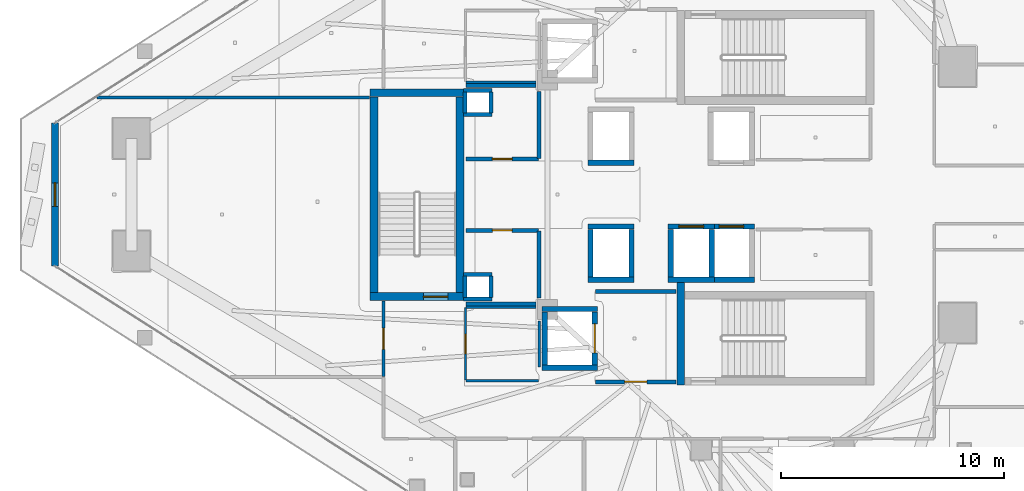
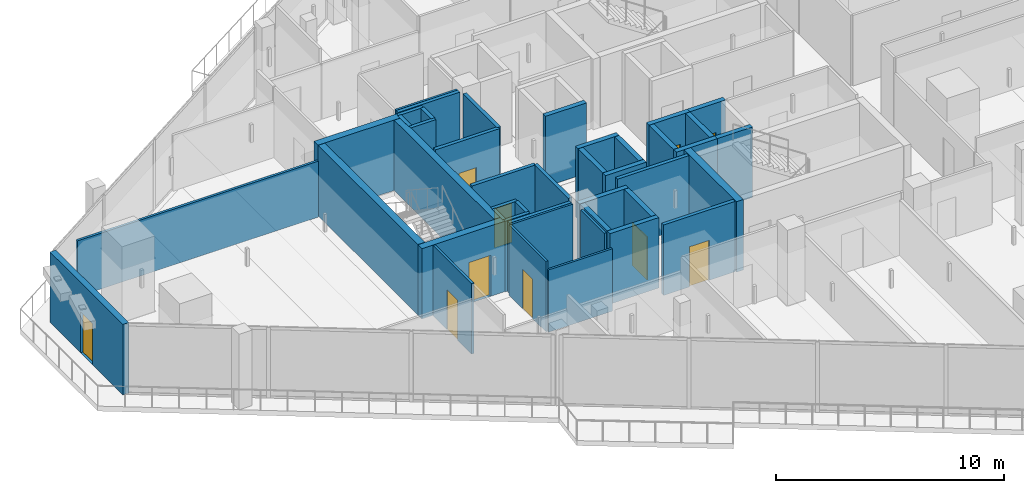
# One storey, part 24 of 36: 44 walls, 10 doors, 10 openings.
"""IFC4 building model written with IfcOpenShell, lengths in metres."""

from ifc_helpers import new_model, si_unit, direction, frame, frame_2d, origin, place, context, subcontext, project, spatial, rectangle, extrude, material, layer, layer_set, type_object, element, fill, save


model = new_model("IFC4")

# Units and contexts
model_context = context("Model", 3, precision=1e-05, world=origin(), true_north=direction((0.0, 1.0)))
body_context = subcontext(model_context, "Body", "Model", "MODEL_VIEW")
ifc_project = project(units=[si_unit("LENGTHUNIT", "METRE"), si_unit("AREAUNIT", "SQUARE_METRE"), si_unit("VOLUMEUNIT", "CUBIC_METRE"), si_unit("PLANEANGLEUNIT", "RADIAN"), si_unit("MASSUNIT", "GRAM", prefix="KILO")], contexts=[model_context])

# Site, building, storey
site_placement = place(None, origin())
site = spatial("IfcSite", under=ifc_project, at=site_placement, CompositionType="ELEMENT")
building_placement = place(site_placement, origin())
building = spatial("IfcBuilding", under=site, at=building_placement, Name="Qorvath Tower", CompositionType="ELEMENT")
storey_placement = place(building_placement, frame((0.0, 0.0, 241.5)))
storey = spatial("IfcBuildingStorey", under=building, at=storey_placement, Name="L56", CompositionType="ELEMENT", Elevation=241.5)

# Walls
ifc_material_1 = material(Name="Gypsum shaftliner on steel studs", Category="steel")
ifc_layer_1 = layer(ifc_material_1, 0.179931640625)
ifc_layer_set_1 = layer_set([ifc_layer_1], Name="FW-LOBBY")
wall_type_1 = type_object("IfcWallType", Name="FW-LOBBY", PredefinedType="PARTITIONING", material=ifc_layer_set_1)
for number, where, z_axis, x_axis, name in (
    (1, (-32.989990234375, 3.594970703125, 0.0), (0.0, 0.0, 1.0), (-1.0, 0.0, 0.0), "MEP Riser Shaft Enclosure Wall N-L56-S"),
    (2, (-34.260009765625, 4.675048828125, 0.0), (0.0, 0.0, 1.0), (1.0, 0.0, 0.0), "MEP Riser Shaft Enclosure Wall N-L56-N"),
):
    element("IfcWall", number, at=place(storey_placement, frame(where, z_axis=z_axis, x_axis=x_axis)), inside=storey, type_object=wall_type_1, Name=name, PredefinedType="PARTITIONING", context=body_context, shape_type="SweptSolid", body=[
        extrude(rectangle(XDim=1.27001953125, YDim=0.179931640625, at=frame_2d((0.635009765625, 0.0))), origin(), (0.0, 0.0, 1.0), 3.780029296875),
    ])
for number, where, z_axis, x_axis, name in (
    (3, (-34.205078125, 3.659912109375, 0.0), (0.0, 0.0, 1.0), (0.0, 1.0, 0.0), "MEP Riser Shaft Enclosure Wall N-L56-W"),
    (4, (-33.044921875, 4.610107421875, 0.0), (0.0, 0.0, 1.0), (0.0, -1.0, 0.0), "MEP Riser Shaft Enclosure Wall N-L56-E"),
):
    element("IfcWall", number, at=place(storey_placement, frame(where, z_axis=z_axis, x_axis=x_axis)), inside=storey, type_object=wall_type_1, Name=name, PredefinedType="PARTITIONING", context=body_context, shape_type="SweptSolid", body=[
        extrude(rectangle(XDim=0.9501953125, YDim=0.179931640625, at=frame_2d((0.47509765625, 0.0))), origin(), (0.0, 0.0, 1.0), 3.780029296875),
    ])
for number, where, z_axis, x_axis, name in (
    (5, (-32.989990234375, -4.675048828125, 0.0), (0.0, 0.0, 1.0), (-1.0, 0.0, 0.0), "MEP Riser Shaft Enclosure Wall S-L56-S"),
    (6, (-34.260009765625, -3.594970703125, 0.0), (0.0, 0.0, 1.0), (1.0, 0.0, 0.0), "MEP Riser Shaft Enclosure Wall S-L56-N"),
):
    element("IfcWall", number, at=place(storey_placement, frame(where, z_axis=z_axis, x_axis=x_axis)), inside=storey, type_object=wall_type_1, Name=name, PredefinedType="PARTITIONING", context=body_context, shape_type="SweptSolid", body=[
        extrude(rectangle(XDim=1.27001953125, YDim=0.179931640625, at=frame_2d((0.635009765625, 0.0))), origin(), (0.0, 0.0, 1.0), 3.780029296875),
    ])
for number, where, z_axis, x_axis, name in (
    (7, (-34.205078125, -4.610107421875, 0.0), (0.0, 0.0, 1.0), (0.0, 1.0, 0.0), "MEP Riser Shaft Enclosure Wall S-L56-W"),
    (8, (-33.044921875, -3.659912109375, 0.0), (0.0, 0.0, 1.0), (0.0, -1.0, 0.0), "MEP Riser Shaft Enclosure Wall S-L56-E"),
):
    element("IfcWall", number, at=place(storey_placement, frame(where, z_axis=z_axis, x_axis=x_axis)), inside=storey, type_object=wall_type_1, Name=name, PredefinedType="PARTITIONING", context=body_context, shape_type="SweptSolid", body=[
        extrude(rectangle(XDim=0.9501953125, YDim=0.179931640625, at=frame_2d((0.47509765625, 0.0))), origin(), (0.0, 0.0, 1.0), 3.780029296875),
    ])

# Wall, opening, door
wall_1_placement = place(storey_placement, frame((-28.35498046875, -8.39990234375, 0.0), z_axis=(0.0, 0.0, 1.0), x_axis=(1.0, 0.0, 0.0)))
wall_1 = element("IfcWall", 9, at=wall_1_placement, inside=storey, type_object=wall_type_1, Name="Interior Partition IW-T1-L56-003", PredefinedType="PARTITIONING", context=body_context, shape_type="SweptSolid", body=[
    extrude(rectangle(XDim=3.6220703125, YDim=0.179931640625, at=frame_2d((1.81103515625, 0.0))), origin(), (0.0, 0.0, 1.0), 3.780029296875),
])
opening_1_placement = place(wall_1_placement, frame((1.31103515625, 0.0, 0.0)))
opening_1 = element("IfcOpeningElement", 10, at=opening_1_placement, cuts=wall_1, Name="Opening D-T1-L56-23", PredefinedType="OPENING", context=body_context, shape_type="SweptSolid", body=[
    extrude(rectangle(XDim=1.0, YDim=2.14990234375, at=frame_2d((0.5, 1.074951171875))), frame((0.0, 0.10009765625, 0.0), z_axis=(0.0, -1.0, 0.0), x_axis=(1.0, 0.0, 0.0)), (0.0, 0.0, 1.0), 0.199951171875),
])
ifc_material_2 = material(Name="Painted galvanised hollow metal", Category="steel")
door_type_1 = type_object("IfcDoorType", Name="FD-60", OperationType="NOTDEFINED", PredefinedType="DOOR", material=ifc_material_2)
door_1_placement = place(opening_1_placement, origin())
door_1 = element("IfcDoor", 11, at=door_1_placement, inside=storey, type_object=door_type_1, Name="Lobby Fire Service Elevator South Door D-T1-L56-23", OperationType="SINGLE_SWING_LEFT", OverallHeight=2.14990234375, OverallWidth=1.0, PredefinedType="DOOR", context=body_context, shape_type="SweptSolid", body=[
    extrude(rectangle(XDim=1.0, YDim=2.14990234375, at=frame_2d((0.5, 1.074951171875))), frame((0.0, 0.02490234375, 0.0), z_axis=(0.0, -1.0, 0.0), x_axis=(1.0, 0.0, 0.0)), (0.0, 0.0, 1.0), 0.050048828125),
])
fill(opening_1, door_1)

# Wall
wall_2_placement = place(storey_placement, frame((-24.73291015625, -4.35009765625, 0.0), z_axis=(0.0, 0.0, 1.0), x_axis=(-1.0, 0.0, 0.0)))
element("IfcWall", 12, at=wall_2_placement, inside=storey, type_object=wall_type_1, Name="Interior Partition IW-T1-L56-004", PredefinedType="PARTITIONING", context=body_context, shape_type="SweptSolid", body=[
    extrude(rectangle(XDim=3.6220703125, YDim=0.179931640625, at=frame_2d((1.81103515625, 0.0))), origin(), (0.0, 0.0, 1.0), 3.780029296875),
])

# Wall, opening, door
wall_3_placement = place(storey_placement, frame((-34.15478515625, 1.60009765625, 0.0), z_axis=(0.0, 0.0, 1.0), x_axis=(1.0, 0.0, 0.0)))
wall_3 = element("IfcWall", 13, at=wall_3_placement, inside=storey, type_object=wall_type_1, Name="Interior Partition IW-T1-L56-017", PredefinedType="PARTITIONING", context=body_context, shape_type="SweptSolid", body=[
    extrude(rectangle(XDim=3.25, YDim=0.179931640625, at=frame_2d((1.625, 0.0))), origin(), (0.0, 0.0, 1.0), 3.780029296875),
])
opening_2_placement = place(wall_3_placement, frame((1.18505859375, 0.0, 0.0)))
opening_2 = element("IfcOpeningElement", 14, at=opening_2_placement, cuts=wall_3, Name="Opening D-T1-L56-05", PredefinedType="OPENING", context=body_context, shape_type="SweptSolid", body=[
    extrude(rectangle(XDim=0.8798828125, YDim=2.10009765625, at=frame_2d((0.43994140625, 1.050048828125))), frame((0.0, 0.10009765625, 0.0), z_axis=(0.0, -1.0, 0.0), x_axis=(1.0, 0.0, 0.0)), (0.0, 0.0, 1.0), 0.199951171875),
])
ifc_material_3 = material(Name="Painted galvanised hollow metal", Category="steel")
door_type_2 = type_object("IfcDoorType", Name="FD-60N", OperationType="NOTDEFINED", PredefinedType="DOOR", material=ifc_material_3)
door_2_placement = place(opening_2_placement, origin())
door_2 = element("IfcDoor", 15, at=door_2_placement, inside=storey, type_object=door_type_2, Name="Core cleaner and custodial room L56 Door D-T1-L56-05", OperationType="SINGLE_SWING_LEFT", OverallHeight=2.10009765625, OverallWidth=0.8798828125, PredefinedType="DOOR", context=body_context, shape_type="SweptSolid", body=[
    extrude(rectangle(XDim=0.8798828125, YDim=2.10009765625, at=frame_2d((0.43994140625, 1.050048828125))), frame((0.0, 0.02490234375, 0.0), z_axis=(0.0, -1.0, 0.0), x_axis=(1.0, 0.0, 0.0)), (0.0, 0.0, 1.0), 0.050048828125),
])
fill(opening_2, door_2)

# Walls
wall_4_placement = place(storey_placement, frame((-30.8798828125, 1.625, 0.0), z_axis=(0.0, 0.0, 1.0), x_axis=(0.0, 1.0, 0.0)))
element("IfcWall", 16, at=wall_4_placement, inside=storey, type_object=wall_type_1, Name="Interior Partition IW-T1-L56-018", PredefinedType="PARTITIONING", context=body_context, shape_type="SweptSolid", body=[
    extrude(rectangle(XDim=3.010009765625, YDim=0.179931640625, at=frame_2d((1.5048828125, 0.0))), origin(), (0.0, 0.0, 1.0), 3.780029296875),
])
for number, where, z_axis, x_axis, name in (
    (17, (-31.014892578125, 4.89990234375, 0.0), (0.0, 0.0, 1.0), (-1.0, 0.0, 0.0), "Interior Partition IW-T1-L56-019"),
    (18, (-34.15478515625, -4.89990234375, 0.0), (0.0, 0.0, 1.0), (1.0, 0.0, 0.0), "Interior Partition IW-T1-L56-020"),
):
    element("IfcWall", number, at=place(storey_placement, frame(where, z_axis=z_axis, x_axis=x_axis)), inside=storey, type_object=wall_type_1, Name=name, PredefinedType="PARTITIONING", context=body_context, shape_type="SweptSolid", body=[
        extrude(rectangle(XDim=3.139892578125, YDim=0.179931640625, at=frame_2d((1.56982421875, 0.0))), origin(), (0.0, 0.0, 1.0), 3.780029296875),
    ])
wall_5_placement = place(storey_placement, frame((-30.8798828125, -4.635009765625, 0.0), z_axis=(0.0, 0.0, 1.0), x_axis=(0.0, 1.0, 0.0)))
element("IfcWall", 19, at=wall_5_placement, inside=storey, type_object=wall_type_1, Name="Interior Partition IW-T1-L56-021", PredefinedType="PARTITIONING", context=body_context, shape_type="SweptSolid", body=[
    extrude(rectangle(XDim=3.010009765625, YDim=0.179931640625, at=frame_2d((1.5048828125, 0.0))), origin(), (0.0, 0.0, 1.0), 3.780029296875),
])

# Wall, opening, door
wall_6_placement = place(storey_placement, frame((-30.90478515625, -1.60009765625, 0.0), z_axis=(0.0, 0.0, 1.0), x_axis=(-1.0, 0.0, 0.0)))
wall_6 = element("IfcWall", 20, at=wall_6_placement, inside=storey, type_object=wall_type_1, Name="Interior Partition IW-T1-L56-022", PredefinedType="PARTITIONING", context=body_context, shape_type="SweptSolid", body=[
    extrude(rectangle(XDim=3.25, YDim=0.179931640625, at=frame_2d((1.625, 0.0))), origin(), (0.0, 0.0, 1.0), 3.780029296875),
])
opening_3_placement = place(wall_6_placement, frame((1.18505859375, 0.0, 0.0)))
opening_3 = element("IfcOpeningElement", 21, at=opening_3_placement, cuts=wall_6, Name="Opening D-T1-L56-06", PredefinedType="OPENING", context=body_context, shape_type="SweptSolid", body=[
    extrude(rectangle(XDim=0.8798828125, YDim=2.10009765625, at=frame_2d((0.43994140625, 1.050048828125))), frame((0.0, 0.10009765625, 0.0), z_axis=(0.0, -1.0, 0.0), x_axis=(1.0, 0.0, 0.0)), (0.0, 0.0, 1.0), 0.199951171875),
])
door_3_placement = place(opening_3_placement, origin())
door_3 = element("IfcDoor", 22, at=door_3_placement, inside=storey, type_object=door_type_2, Name="Core electrical room L56 Door D-T1-L56-06", OperationType="SINGLE_SWING_RIGHT", OverallHeight=2.10009765625, OverallWidth=0.8798828125, PredefinedType="DOOR", context=body_context, shape_type="SweptSolid", body=[
    extrude(rectangle(XDim=0.8798828125, YDim=2.10009765625, at=frame_2d((0.43994140625, 1.050048828125))), frame((0.0, 0.02490234375, 0.0), z_axis=(0.0, -1.0, 0.0), x_axis=(1.0, 0.0, 0.0)), (0.0, 0.0, 1.0), 0.050048828125),
])
fill(opening_3, door_3)

ifc_material_4 = material(Name="Gypsum board on metal studs with mineral wool", Category="gypsum")
ifc_layer_2 = layer(ifc_material_4, 0.125)
ifc_layer_set_2 = layer_set([ifc_layer_2], Name="IW-PART-125")
wall_type_2 = type_object("IfcWallType", Name="IW-PART-125", PredefinedType="PARTITIONING", material=ifc_layer_set_2)
wall_7_placement = place(storey_placement, frame((-37.85791015625, -8.15771484375, 0.0), z_axis=(0.0, 0.0, 1.0), x_axis=(0.0, 1.0, 0.0)))
wall_7 = element("IfcWall", 23, at=wall_7_placement, inside=storey, type_object=wall_type_2, Name="Interior Partition IW-T1-L56-054", PredefinedType="PARTITIONING", context=body_context, shape_type="SweptSolid", body=[
    extrude(rectangle(XDim=3.37451171875, YDim=0.125, at=frame_2d((1.687255859375, 0.0))), origin(), (0.0, 0.0, 1.0), 3.780029296875),
])
opening_4_placement = place(wall_7_placement, frame((1.212158203125, 0.0, 0.0)))
opening_4 = element("IfcOpeningElement", 24, at=opening_4_placement, cuts=wall_7, Name="Opening D-T1-L56-19", PredefinedType="OPENING", context=body_context, shape_type="SweptSolid", body=[
    extrude(rectangle(XDim=0.949951171875, YDim=2.14990234375, at=frame_2d((0.47509765625, 1.074951171875))), frame((0.0, 0.072509765625, 0.0), z_axis=(0.0, -1.0, 0.0), x_axis=(1.0, 0.0, 0.0)), (0.0, 0.0, 1.0), 0.14501953125),
])
ifc_material_5 = material(Name="Solid-core American white oak veneer", Category="wood")
door_type_3 = type_object("IfcDoorType", Name="D-01", OperationType="NOTDEFINED", PredefinedType="DOOR", material=ifc_material_5)
door_4_placement = place(opening_4_placement, origin())
door_4 = element("IfcDoor", 25, at=door_4_placement, inside=storey, type_object=door_type_3, Name="L56-13 Design Pin-Up Atelier Door D-T1-L56-19", OperationType="SINGLE_SWING_LEFT", OverallHeight=2.14990234375, OverallWidth=0.949951171875, PredefinedType="DOOR", context=body_context, shape_type="SweptSolid", body=[
    extrude(rectangle(XDim=0.949951171875, YDim=2.14990234375, at=frame_2d((0.47509765625, 1.074951171875))), frame((0.0, 0.02490234375, 0.0), z_axis=(0.0, -1.0, 0.0), x_axis=(1.0, 0.0, 0.0)), (0.0, 0.0, 1.0), 0.050048828125),
])
fill(opening_4, door_4)

# Walls
wall_8_placement = place(storey_placement, frame((-38.492919921875, 4.360107421875, 0.0), z_axis=(0.0, 0.0, 1.0), x_axis=(-0.99999999024, -0.000139712192, 0.0)))
element("IfcWall", 26, at=wall_8_placement, inside=storey, type_object=wall_type_2, Name="Interior Partition IW-T1-L56-055", PredefinedType="PARTITIONING", context=body_context, shape_type="SweptSolid", body=[
    extrude(rectangle(XDim=12.232177734375, YDim=0.125, at=frame_2d((6.1162109375, 0.0))), origin(), (0.0, 0.0, 1.0), 3.0),
])
ifc_material_6 = material(Name="Moisture-resistant cement board on metal studs", Category="gypsum")
ifc_layer_3 = layer(ifc_material_6, 0.110107421875)
ifc_layer_set_3 = layer_set([ifc_layer_3], Name="IW-WC-110")
wall_type_3 = type_object("IfcWallType", Name="IW-WC-110", PredefinedType="PARTITIONING", material=ifc_layer_set_3)
wall_9_placement = place(storey_placement, frame((-34.15478515625, 5.050048828125, 0.0), z_axis=(0.0, 0.0, 1.0), x_axis=(1.0, 0.0, 0.0)))
element("IfcWall", 27, at=wall_9_placement, inside=storey, type_object=wall_type_3, Name="Interior Partition IW-T1-L56-006", PredefinedType="PARTITIONING", context=body_context, shape_type="SweptSolid", body=[
    extrude(rectangle(XDim=3.139892578125, YDim=0.110107421875, at=frame_2d((1.56982421875, 0.0))), origin(), (0.0, 0.0, 1.0), 3.780029296875),
])
wall_10_placement = place(storey_placement, frame((-34.15478515625, -8.35009765625, 0.0), z_axis=(0.0, 0.0, 1.0), x_axis=(1.0, 0.0, 0.0)))
element("IfcWall", 28, at=wall_10_placement, inside=storey, type_object=wall_type_3, Name="Interior Partition IW-T1-L56-009", PredefinedType="PARTITIONING", context=body_context, shape_type="SweptSolid", body=[
    extrude(rectangle(XDim=3.25, YDim=0.110107421875, at=frame_2d((1.625, 0.0))), origin(), (0.0, 0.0, 1.0), 3.34375),
])
wall_11_placement = place(storey_placement, frame((-30.8798828125, -7.742919921875, 0.0), z_axis=(0.0, 0.0, 1.0), x_axis=(0.0, 1.0, 0.0)))
element("IfcWall", 29, at=wall_11_placement, inside=storey, type_object=wall_type_3, Name="Interior Partition IW-T1-L56-010", PredefinedType="PARTITIONING", context=body_context, shape_type="SweptSolid", body=[
    extrude(rectangle(XDim=2.077880859375, YDim=0.110107421875, at=frame_2d((1.0390625, 0.0))), origin(), (0.0, 0.0, 1.0), 3.780029296875),
])
wall_12_placement = place(storey_placement, frame((-31.014892578125, -5.050048828125, 0.0), z_axis=(0.0, 0.0, 1.0), x_axis=(-1.0, 0.0, 0.0)))
element("IfcWall", 30, at=wall_12_placement, inside=storey, type_object=wall_type_3, Name="Interior Partition IW-T1-L56-011", PredefinedType="PARTITIONING", context=body_context, shape_type="SweptSolid", body=[
    extrude(rectangle(XDim=3.139892578125, YDim=0.110107421875, at=frame_2d((1.56982421875, 0.0))), origin(), (0.0, 0.0, 1.0), 3.780029296875),
])

# Wall, opening, door
wall_13_placement = place(storey_placement, frame((-34.179931640625, -5.074951171875, 0.0), z_axis=(0.0, 0.0, 1.0), x_axis=(0.0, -1.0, 0.0)))
wall_13 = element("IfcWall", 31, at=wall_13_placement, inside=storey, type_object=wall_type_3, Name="Interior Partition IW-T1-L56-012", PredefinedType="PARTITIONING", context=body_context, shape_type="SweptSolid", body=[
    extrude(rectangle(XDim=3.250244140625, YDim=0.110107421875, at=frame_2d((1.625, 0.0))), origin(), (0.0, 0.0, 1.0), 3.780029296875),
])
opening_5_placement = place(wall_13_placement, frame((1.18505859375, 0.0, 0.0)))
opening_5 = element("IfcOpeningElement", 32, at=opening_5_placement, cuts=wall_13, Name="Opening D-T1-L56-02", PredefinedType="OPENING", context=body_context, shape_type="SweptSolid", body=[
    extrude(rectangle(XDim=0.8798828125, YDim=2.10009765625, at=frame_2d((0.43994140625, 1.050048828125))), frame((0.0, 0.06494140625, 0.0), z_axis=(0.0, -1.0, 0.0), x_axis=(1.0, 0.0, 0.0)), (0.0, 0.0, 1.0), 0.130126953125),
])
ifc_material_7 = material(Name="Solid-core oak with acoustic drop seal", Category="wood")
door_type_4 = type_object("IfcDoorType", Name="D-02", OperationType="NOTDEFINED", PredefinedType="DOOR", material=ifc_material_7)
door_5_placement = place(opening_5_placement, origin())
door_5 = element("IfcDoor", 33, at=door_5_placement, inside=storey, type_object=door_type_4, Name="Accessible WC South L56 Door D-T1-L56-02", OperationType="SINGLE_SWING_RIGHT", OverallHeight=2.10009765625, OverallWidth=0.8798828125, PredefinedType="DOOR", context=body_context, shape_type="SweptSolid", body=[
    extrude(rectangle(XDim=0.8798828125, YDim=2.10009765625, at=frame_2d((0.43994140625, 1.050048828125))), frame((0.0, 0.02490234375, 0.0), z_axis=(0.0, -1.0, 0.0), x_axis=(1.0, 0.0, 0.0)), (0.0, 0.0, 1.0), 0.050048828125),
])
fill(opening_5, door_5)

# Walls
ifc_material_8 = material(Name="Concrete C60/75", Category="concrete")
ifc_layer_4 = layer(ifc_material_8, 0.260009765625)
ifc_layer_set_4 = layer_set([ifc_layer_4], Name="SW-SHAFT")
wall_type_4 = type_object("IfcWallType", Name="SW-SHAFT", PredefinedType="SHEAR", material=ifc_layer_set_4)
for number, where, z_axis, x_axis, name in (
    (34, (-28.260009765625, -7.77001953125, 0.0), (0.0, 0.0, 1.0), (-1.0, 0.0, 0.0), "Hoistway Wall FSAE-2 L56 S"),
    (35, (-30.739990234375, -5.1298828125, 0.0), (0.0, 0.0, 1.0), (1.0, 0.0, 0.0), "Hoistway Wall FSAE-2 L56 N"),
):
    element("IfcWall", number, at=place(storey_placement, frame(where, z_axis=z_axis, x_axis=x_axis)), inside=storey, type_object=wall_type_4, Name=name, PredefinedType="SHEAR", context=body_context, shape_type="SweptSolid", body=[
        extrude(rectangle(XDim=2.47998046875, YDim=0.239990234375, at=frame_2d((1.239990234375, 0.0))), origin(), (0.0, 0.0, 1.0), 3.780029296875),
    ])
wall_14_placement = place(storey_placement, frame((-30.6201171875, -7.637939453125, 0.0), z_axis=(0.0, 0.0, 1.0), x_axis=(0.0, 1.0, 0.0)))
element("IfcWall", 36, at=wall_14_placement, inside=storey, type_object=wall_type_4, Name="Hoistway Wall FSAE-2 L56 W", PredefinedType="SHEAR", context=body_context, shape_type="SweptSolid", body=[
    extrude(rectangle(XDim=2.3759765625, YDim=0.239990234375, at=frame_2d((1.18798828125, 0.0))), origin(), (0.0, 0.0, 1.0), 3.780029296875),
])

# Wall, opening, door
wall_15_placement = place(storey_placement, frame((-28.3798828125, -5.261962890625, 0.0), z_axis=(0.0, 0.0, 1.0), x_axis=(0.0, -1.0, 0.0)))
wall_15 = element("IfcWall", 37, at=wall_15_placement, inside=storey, type_object=wall_type_4, Name="Hoistway Wall FSAE-2 L56 E", PredefinedType="SHEAR", context=body_context, shape_type="SweptSolid", body=[
    extrude(rectangle(XDim=2.3759765625, YDim=0.239990234375, at=frame_2d((1.18798828125, 0.0))), origin(), (0.0, 0.0, 1.0), 3.780029296875),
])
opening_6_placement = place(wall_15_placement, frame((0.5380859375, 0.0, 0.0)))
opening_6 = element("IfcOpeningElement", 38, at=opening_6_placement, cuts=wall_15, Name="Opening LD-FSAE-2-L56", PredefinedType="OPENING", context=body_context, shape_type="SweptSolid", body=[
    extrude(rectangle(XDim=1.300048828125, YDim=2.300048828125, at=frame_2d((0.64990234375, 1.14990234375))), frame((0.0, 0.1298828125, 0.0), z_axis=(0.0, -1.0, 0.0), x_axis=(1.0, 0.0, 0.0)), (0.0, 0.0, 1.0), 0.260009765625),
])
ifc_material_9 = material(Name="Brushed stainless steel AISI 316", Category="steel")
door_type_5 = type_object("IfcDoorType", Name="LD-02", OperationType="NOTDEFINED", PredefinedType="DOOR", material=ifc_material_9)
door_6_placement = place(opening_6_placement, origin())
door_6 = element("IfcDoor", 39, at=door_6_placement, inside=storey, type_object=door_type_5, Name="Elevator Landing Sliding Door LD-FSAE-2-L56", OperationType="DOUBLE_DOOR_SLIDING", OverallHeight=2.300048828125, OverallWidth=1.300048828125, PredefinedType="DOOR", context=body_context, shape_type="SweptSolid", body=[
    extrude(rectangle(XDim=1.300048828125, YDim=2.300048828125, at=frame_2d((0.64990234375, 1.14990234375))), frame((0.0, 0.02490234375, 0.0), z_axis=(0.0, -1.0, 0.0), x_axis=(1.0, 0.0, 0.0)), (0.0, 0.0, 1.0), 0.050048828125),
])
fill(opening_6, door_6)

# Walls
for number, where, z_axis, x_axis, name in (
    (40, (-26.610107421875, 1.429931640625, 0.0), (0.0, 0.0, 1.0), (-1.0, 0.0, 0.0), "Hoistway Wall PS-1 L56 S"),
    (41, (-26.610107421875, -3.820068359375, 0.0), (0.0, 0.0, 1.0), (-1.0, 0.0, 0.0), "Hoistway Wall PS-2 L56 S"),
    (42, (-28.68994140625, -1.429931640625, 0.0), (0.0, 0.0, 1.0), (1.0, 0.0, 0.0), "Hoistway Wall PS-2 L56 N"),
):
    element("IfcWall", number, at=place(storey_placement, frame(where, z_axis=z_axis, x_axis=x_axis)), inside=storey, type_object=wall_type_4, Name=name, PredefinedType="SHEAR", context=body_context, shape_type="SweptSolid", body=[
        extrude(rectangle(XDim=2.079833984375, YDim=0.239990234375, at=frame_2d((1.0400390625, 0.0))), origin(), (0.0, 0.0, 1.0), 3.780029296875),
    ])
for number, where, z_axis, x_axis, name in (
    (43, (-28.570068359375, -3.68798828125, 0.0), (0.0, 0.0, 1.0), (0.0, 1.0, 0.0), "Hoistway Wall PS-2 L56 W"),
    (44, (-26.72998046875, -1.56201171875, 0.0), (0.0, 0.0, 1.0), (0.0, -1.0, 0.0), "Hoistway Wall PS-2 L56 E"),
):
    element("IfcWall", number, at=place(storey_placement, frame(where, z_axis=z_axis, x_axis=x_axis)), inside=storey, type_object=wall_type_4, Name=name, PredefinedType="SHEAR", context=body_context, shape_type="SweptSolid", body=[
        extrude(rectangle(XDim=2.1259765625, YDim=0.239990234375, at=frame_2d((1.06298828125, 0.0))), origin(), (0.0, 0.0, 1.0), 3.780029296875),
    ])
wall_16_placement = place(storey_placement, frame((-23.010009765625, -3.820068359375, 0.0), z_axis=(0.0, 0.0, 1.0), x_axis=(-1.0, 0.0, 0.0)))
element("IfcWall", 45, at=wall_16_placement, inside=storey, type_object=wall_type_4, Name="Hoistway Wall PU-2 L56 S", PredefinedType="SHEAR", context=body_context, shape_type="SweptSolid", body=[
    extrude(rectangle(XDim=2.080078125, YDim=0.239990234375, at=frame_2d((1.0400390625, 0.0))), origin(), (0.0, 0.0, 1.0), 3.780029296875),
])

# Wall, opening, door
wall_17_placement = place(storey_placement, frame((-25.090087890625, -1.429931640625, 0.0), z_axis=(0.0, 0.0, 1.0), x_axis=(1.0, 0.0, 0.0)))
wall_17 = element("IfcWall", 46, at=wall_17_placement, inside=storey, type_object=wall_type_4, Name="Hoistway Wall PU-2 L56 N", PredefinedType="SHEAR", context=body_context, shape_type="SweptSolid", body=[
    extrude(rectangle(XDim=2.080078125, YDim=0.239990234375, at=frame_2d((1.0400390625, 0.0))), origin(), (0.0, 0.0, 1.0), 3.780029296875),
])
opening_7_placement = place(wall_17_placement, frame((0.489990234375, 0.0, 0.0)))
opening_7 = element("IfcOpeningElement", 47, at=opening_7_placement, cuts=wall_17, Name="Opening LD-PU-2-L56", PredefinedType="OPENING", context=body_context, shape_type="SweptSolid", body=[
    extrude(rectangle(XDim=1.10009765625, YDim=2.199951171875, at=frame_2d((0.550048828125, 1.10009765625))), frame((0.0, 0.1298828125, 0.0), z_axis=(0.0, -1.0, 0.0), x_axis=(1.0, 0.0, 0.0)), (0.0, 0.0, 1.0), 0.260009765625),
])
ifc_material_10 = material(Name="Brushed stainless steel AISI 316", Category="steel")
door_type_6 = type_object("IfcDoorType", Name="LD-01", OperationType="NOTDEFINED", PredefinedType="DOOR", material=ifc_material_10)
door_7_placement = place(opening_7_placement, origin())
door_7 = element("IfcDoor", 48, at=door_7_placement, inside=storey, type_object=door_type_6, Name="Elevator Landing Sliding Door LD-PU-2-L56", OperationType="DOUBLE_DOOR_SLIDING", OverallHeight=2.199951171875, OverallWidth=1.10009765625, PredefinedType="DOOR", context=body_context, shape_type="SweptSolid", body=[
    extrude(rectangle(XDim=1.10009765625, YDim=2.199951171875, at=frame_2d((0.550048828125, 1.10009765625))), frame((0.0, 0.02490234375, 0.0), z_axis=(0.0, -1.0, 0.0), x_axis=(1.0, 0.0, 0.0)), (0.0, 0.0, 1.0), 0.050048828125),
])
fill(opening_7, door_7)

# Walls
for number, where, z_axis, x_axis, name in (
    (49, (-24.969970703125, -3.68798828125, 0.0), (0.0, 0.0, 1.0), (0.0, 1.0, 0.0), "Hoistway Wall PU-2 L56 W"),
    (50, (-23.1298828125, -1.56201171875, 0.0), (0.0, 0.0, 1.0), (0.0, -1.0, 0.0), "Hoistway Wall PU-2 L56 E"),
):
    element("IfcWall", number, at=place(storey_placement, frame(where, z_axis=z_axis, x_axis=x_axis)), inside=storey, type_object=wall_type_4, Name=name, PredefinedType="SHEAR", context=body_context, shape_type="SweptSolid", body=[
        extrude(rectangle(XDim=2.1259765625, YDim=0.239990234375, at=frame_2d((1.06298828125, 0.0))), origin(), (0.0, 0.0, 1.0), 3.780029296875),
    ])
wall_18_placement = place(storey_placement, frame((-21.2099609375, -3.820068359375, 0.0), z_axis=(0.0, 0.0, 1.0), x_axis=(-1.0, 0.0, 0.0)))
element("IfcWall", 51, at=wall_18_placement, inside=storey, type_object=wall_type_4, Name="Hoistway Wall PU-3 L56 S", PredefinedType="SHEAR", context=body_context, shape_type="SweptSolid", body=[
    extrude(rectangle(XDim=1.800048828125, YDim=0.239990234375, at=frame_2d((0.89990234375, 0.0))), origin(), (0.0, 0.0, 1.0), 3.780029296875),
])

# Wall, opening, door
wall_19_placement = place(storey_placement, frame((-23.010009765625, -1.429931640625, 0.0), z_axis=(0.0, 0.0, 1.0), x_axis=(1.0, 0.0, 0.0)))
wall_19 = element("IfcWall", 52, at=wall_19_placement, inside=storey, type_object=wall_type_4, Name="Hoistway Wall PU-3 L56 N", PredefinedType="SHEAR", context=body_context, shape_type="SweptSolid", body=[
    extrude(rectangle(XDim=1.800048828125, YDim=0.239990234375, at=frame_2d((0.89990234375, 0.0))), origin(), (0.0, 0.0, 1.0), 3.780029296875),
])
opening_8_placement = place(wall_19_placement, frame((0.2099609375, 0.0, 0.0)))
opening_8 = element("IfcOpeningElement", 53, at=opening_8_placement, cuts=wall_19, Name="Opening LD-PU-3-L56", PredefinedType="OPENING", context=body_context, shape_type="SweptSolid", body=[
    extrude(rectangle(XDim=1.10009765625, YDim=2.199951171875, at=frame_2d((0.550048828125, 1.10009765625))), frame((0.0, 0.1298828125, 0.0), z_axis=(0.0, -1.0, 0.0), x_axis=(1.0, 0.0, 0.0)), (0.0, 0.0, 1.0), 0.260009765625),
])
door_8_placement = place(opening_8_placement, origin())
door_8 = element("IfcDoor", 54, at=door_8_placement, inside=storey, type_object=door_type_6, Name="Elevator Landing Sliding Door LD-PU-3-L56", OperationType="DOUBLE_DOOR_SLIDING", OverallHeight=2.199951171875, OverallWidth=1.10009765625, PredefinedType="DOOR", context=body_context, shape_type="SweptSolid", body=[
    extrude(rectangle(XDim=1.10009765625, YDim=2.199951171875, at=frame_2d((0.550048828125, 1.10009765625))), frame((0.0, 0.02490234375, 0.0), z_axis=(0.0, -1.0, 0.0), x_axis=(1.0, 0.0, 0.0)), (0.0, 0.0, 1.0), 0.050048828125),
])
fill(opening_8, door_8)

# Wall
ifc_material_11 = material(Name="Concrete C60/75", Category="concrete")
ifc_layer_5 = layer(ifc_material_11, 0.35009765625)
ifc_layer_set_5 = layer_set([ifc_layer_5], Name="SW-STAIR")
wall_type_5 = type_object("IfcWallType", Name="SW-STAIR", PredefinedType="SHEAR", material=ifc_layer_set_5)
wall_20_placement = place(storey_placement, frame((-24.52490234375, -3.93994140625, 0.0), z_axis=(0.0, 0.0, 1.0), x_axis=(0.0, -1.0, 0.0)))
element("IfcWall", 55, at=wall_20_placement, inside=storey, type_object=wall_type_5, Name="Stair TS2 Shear Wall L56 NEAR", PredefinedType="SHEAR", context=body_context, shape_type="SweptSolid", body=[
    extrude(rectangle(XDim=4.610107421875, YDim=0.35009765625, at=frame_2d((2.30517578125, 0.0))), origin(), (0.0, 0.0, 1.0), 3.780029296875),
])

# Wall, opening, door
wall_21_placement = place(storey_placement, frame((-38.4599609375, -4.574951171875, 0.0), z_axis=(0.0, 0.0, 1.0), x_axis=(1.0, 0.0, 0.0)))
wall_21 = element("IfcWall", 56, at=wall_21_placement, inside=storey, type_object=wall_type_5, Name="Stair TS3 Shear Wall L56 NEAR", PredefinedType="SHEAR", context=body_context, shape_type="SweptSolid", body=[
    extrude(rectangle(XDim=4.2099609375, YDim=0.35009765625, at=frame_2d((2.10498046875, 0.0))), origin(), (0.0, 0.0, 1.0), 3.780029296875),
])
opening_9_placement = place(wall_21_placement, frame((2.389892578125, 0.0, 0.0)))
opening_9 = element("IfcOpeningElement", 57, at=opening_9_placement, cuts=wall_21, Name="Opening D-TS3-L56", PredefinedType="OPENING", context=body_context, shape_type="SweptSolid", body=[
    extrude(rectangle(XDim=1.10009765625, YDim=2.199951171875, at=frame_2d((0.550048828125, 1.10009765625))), frame((0.0, 0.18505859375, 0.0), z_axis=(0.0, -1.0, 0.0), x_axis=(1.0, 0.0, 0.0)), (0.0, 0.0, 1.0), 0.3701171875),
])
ifc_material_12 = material(Name="Painted galvanised hollow metal", Category="steel")
door_type_7 = type_object("IfcDoorType", Name="FD-90", OperationType="NOTDEFINED", PredefinedType="DOOR", material=ifc_material_12)
door_9_placement = place(opening_9_placement, origin())
door_9 = element("IfcDoor", 58, at=door_9_placement, inside=storey, type_object=door_type_7, Name="Stair TS3 Fire Door L56", OperationType="SINGLE_SWING_LEFT", OverallHeight=2.199951171875, OverallWidth=1.10009765625, PredefinedType="DOOR", context=body_context, shape_type="SweptSolid", body=[
    extrude(rectangle(XDim=1.10009765625, YDim=2.199951171875, at=frame_2d((0.550048828125, 1.10009765625))), frame((0.0, 0.02490234375, 0.0), z_axis=(0.0, -1.0, 0.0), x_axis=(1.0, 0.0, 0.0)), (0.0, 0.0, 1.0), 0.050048828125),
])
fill(opening_9, door_9)

# Walls
wall_22_placement = place(storey_placement, frame((-34.25, 4.574951171875, 0.0), z_axis=(0.0, 0.0, 1.0), x_axis=(-1.0, 0.0, 0.0)))
element("IfcWall", 59, at=wall_22_placement, inside=storey, type_object=wall_type_5, Name="Stair TS3 Shear Wall L56 FAR", PredefinedType="SHEAR", context=body_context, shape_type="SweptSolid", body=[
    extrude(rectangle(XDim=4.2099609375, YDim=0.35009765625, at=frame_2d((2.10498046875, 0.0))), origin(), (0.0, 0.0, 1.0), 3.780029296875),
])
for number, where, z_axis, x_axis, name in (
    (60, (-34.425048828125, -4.385009765625, 0.0), (0.0, 0.0, 1.0), (0.0, 1.0, 0.0), "Stair TS3 Shear Wall L56 LEFT"),
    (61, (-38.284912109375, 4.385009765625, 0.0), (0.0, 0.0, 1.0), (0.0, -1.0, 0.0), "Stair TS3 Shear Wall L56 RIGHT"),
):
    element("IfcWall", number, at=place(storey_placement, frame(where, z_axis=z_axis, x_axis=x_axis)), inside=storey, type_object=wall_type_5, Name=name, PredefinedType="SHEAR", context=body_context, shape_type="SweptSolid", body=[
        extrude(rectangle(XDim=8.77001953125, YDim=0.35009765625, at=frame_2d((4.385009765625, 0.0))), origin(), (0.0, 0.0, 1.0), 3.780029296875),
    ])

# Wall, opening, door
ifc_material_13 = material(Name="Precast concrete C45/55", Category="concrete")
ifc_layer_6 = layer(ifc_material_13, 0.300048828125)
ifc_layer_set_6 = layer_set([ifc_layer_6], Name="WL-EW-LOG-300")
wall_type_6 = type_object("IfcWallType", Name="WL-EW-LOG-300", PredefinedType="SOLIDWALL", material=ifc_layer_set_6)
wall_23_placement = place(storey_placement, frame((-52.60107421875, -3.21044921875, 0.0), z_axis=(0.0, 0.0, 1.0), x_axis=(0.0, 1.0, 0.0)))
wall_23 = element("IfcWall", 62, at=wall_23_placement, inside=storey, type_object=wall_type_6, Name="Tower Precast Loggia Wall L56-1.1", PredefinedType="SOLIDWALL", context=body_context, shape_type="SweptSolid", body=[
    extrude(rectangle(XDim=6.4208984375, YDim=0.300048828125, at=frame_2d((3.21044921875, 0.0))), origin(), (0.0, 0.0, 1.0), 3.780029296875),
])
opening_10_placement = place(wall_23_placement, frame((2.685302734375, 0.0, 0.0)))
opening_10 = element("IfcOpeningElement", 63, at=opening_10_placement, cuts=wall_23, Name="Opening ED-L56-01", PredefinedType="OPENING", context=body_context, shape_type="SweptSolid", body=[
    extrude(rectangle(XDim=1.050048828125, YDim=2.199951171875, at=frame_2d((0.52490234375, 1.10009765625))), frame((0.0, 0.16015625, 0.0), z_axis=(0.0, -1.0, 0.0), x_axis=(1.0, 0.0, 0.0)), (0.0, 0.0, 1.0), 0.320068359375),
])
ifc_material_14 = material(Name="Thermally broken aluminium glazed door", Category="aluminium")
door_type_8 = type_object("IfcDoorType", Name="ED-LOG", OperationType="NOTDEFINED", PredefinedType="DOOR", material=ifc_material_14)
door_10_placement = place(opening_10_placement, origin())
door_10 = element("IfcDoor", 64, at=door_10_placement, inside=storey, type_object=door_type_8, Name="L56 Recessed Loggia Access Door 1", OperationType="SINGLE_SWING_LEFT", OverallHeight=2.199951171875, OverallWidth=1.050048828125, PredefinedType="DOOR", context=body_context, shape_type="SweptSolid", body=[
    extrude(rectangle(XDim=1.050048828125, YDim=2.199951171875, at=frame_2d((0.52490234375, 1.10009765625))), frame((0.0, 0.02490234375, 0.0), z_axis=(0.0, -1.0, 0.0), x_axis=(1.0, 0.0, 0.0)), (0.0, 0.0, 1.0), 0.050048828125),
])
fill(opening_10, door_10)

save(model, "model.ifc")
